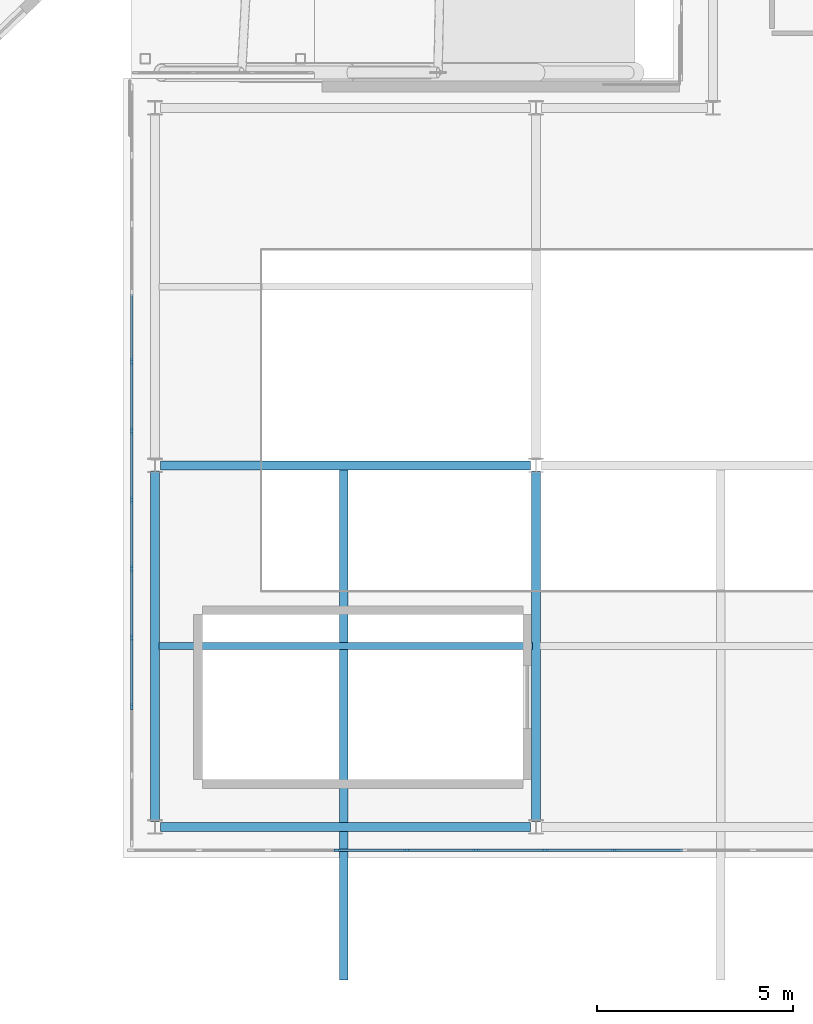
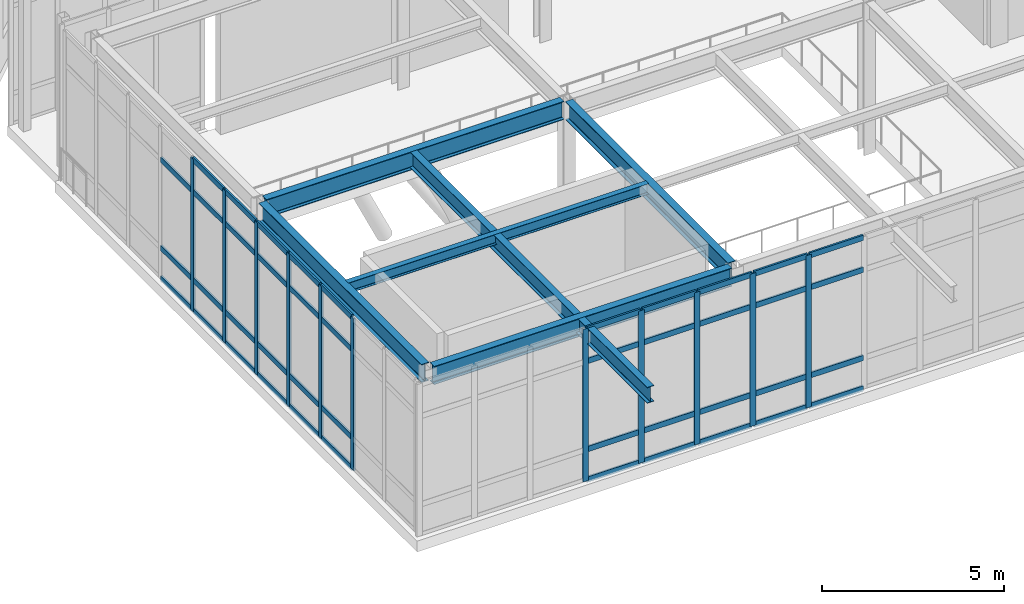
# One storey, part 34 of 159: 54 members, 6 beams, 2 elements without a shape of their own.
"""IFC4 building model written with IfcOpenShell, lengths in metres."""

from ifc_helpers import new_model, si_unit, derived_unit, direction, frame, origin, origin_2d, place, context, subcontext, project, spatial, rectangle, i_section, extrude, material, layer, layer_set, material_profile, profile_set, type_object, element, aggregate, save


model = new_model("IFC4")

# Units and contexts
model_context = context("Model", 3, precision=1e-05, world=origin(), true_north=direction((0.0, 1.0)))
body_context = subcontext(model_context, "Body", "Model", "MODEL_VIEW")
ifc_project = project(units=[si_unit("LENGTHUNIT", "METRE"), si_unit("AREAUNIT", "SQUARE_METRE"), si_unit("VOLUMEUNIT", "CUBIC_METRE"), si_unit("PLANEANGLEUNIT", "RADIAN"), si_unit("MASSUNIT", "GRAM", prefix="KILO"), derived_unit("THERMALTRANSMITTANCEUNIT", [(si_unit("MASSUNIT", "GRAM", prefix="KILO"), 1), (si_unit("TIMEUNIT", "SECOND"), -3), (si_unit("THERMODYNAMICTEMPERATUREUNIT", "KELVIN"), -1)])], contexts=[model_context])

# Site, building, storey
site_placement = place(None, origin())
site = spatial("IfcSite", under=ifc_project, at=site_placement, CompositionType="ELEMENT")
building_placement = place(site_placement, origin())
building = spatial("IfcBuilding", under=site, at=building_placement, Name="Valcora Ridge Arena", CompositionType="ELEMENT")
storey_placement = place(building_placement, frame((0.0, 0.0, 6.0)))
storey = spatial("IfcBuildingStorey", under=building, at=storey_placement, Name="L01", CompositionType="ELEMENT", Elevation=6.0)

# Beams
ifc_material_1 = material(Name="Steel ASTM A572 Grade 50", Category="steel")
ifc_material_profile_1 = material_profile(ifc_material_1, i_section(OverallWidth=0.208984375, OverallDepth=0.532958984375, WebThickness=0.01025390625, FlangeThickness=0.015625, FilletRadius=0.01611328125, at=origin_2d()), Name="W21X62")
ifc_profile_set_1 = profile_set([ifc_material_profile_1], Name="Steel ASTM A572 Grade 50")
beam_type_1 = type_object("IfcBeamType", Name="TY-BEAM-CAN-W21X62", PredefinedType="BEAM", material=ifc_profile_set_1)
beam_1_placement = place(storey_placement, frame((103.60009765625, -3.10009765625, 4.83349609375), z_axis=(0.0, 1.0, 0.0), x_axis=(-1.0, 0.0, 0.0)))
element("IfcBeam", 1, at=beam_1_placement, inside=storey, type_object=beam_type_1, Name="CAN-W21X62 BEM-CAN-W21X62-0001", PredefinedType="BEAM", context=body_context, shape_type="SweptSolid", body=[
    extrude(i_section(OverallWidth=0.208984375, OverallDepth=0.532958984375, WebThickness=0.01025390625, FlangeThickness=0.015625, FilletRadius=0.01611328125, at=origin_2d()), origin(), (0.0, 0.0, 1.0), 13.02001953125),
])
ifc_material_profile_2 = material_profile(ifc_material_1, i_section(OverallWidth=0.22900390625, OverallDepth=0.612060546875, WebThickness=0.011962890625, FlangeThickness=0.01953125, FilletRadius=0.01806640625, at=origin_2d()), Name="W24X84")
ifc_profile_set_2 = profile_set([ifc_material_profile_2], Name="Steel ASTM A572 Grade 50")
beam_type_2 = type_object("IfcBeamType", Name="TY-BEAM-G-W24X84-X", PredefinedType="BEAM", material=ifc_profile_set_2)
beam_2_placement = place(storey_placement, frame((98.93994140625, 10.0, 4.7939453125), z_axis=(1.0, 0.0, 0.0), x_axis=(0.0, 1.0, 0.0)))
element("IfcBeam", 2, at=beam_2_placement, inside=storey, type_object=beam_type_2, Name="G-W24X84-X BEM-G-W24X84-X-0004", PredefinedType="BEAM", context=body_context, shape_type="SweptSolid", body=[
    extrude(i_section(OverallWidth=0.22900390625, OverallDepth=0.612060546875, WebThickness=0.011962890625, FlangeThickness=0.01953125, FilletRadius=0.01806640625, at=origin_2d()), origin(), (0.0, 0.0, 1.0), 9.420166015625),
])
ifc_material_profile_3 = material_profile(ifc_material_1, i_section(OverallWidth=0.22900390625, OverallDepth=0.612060546875, WebThickness=0.011962890625, FlangeThickness=0.01953125, FilletRadius=0.01806640625, at=origin_2d()), Name="W24X84")
ifc_profile_set_3 = profile_set([ifc_material_profile_3], Name="Steel ASTM A572 Grade 50")
beam_type_3 = type_object("IfcBeamType", Name="TY-BEAM-G-W24X84-Y", PredefinedType="BEAM", material=ifc_profile_set_3)
for number, where, z_axis, x_axis, name in (
    (3, (98.800048828125, 0.93994140625, 4.7939453125), (0.0, 1.0, 0.0), (-1.0, 0.0, 0.0), "G-W24X84-Y BEM-G-W24X84-Y-0009"),
    (4, (108.5, 0.93994140625, 4.7939453125), (0.0, 1.0, 0.0), (-1.0, 0.0, 0.0), "G-W24X84-Y BEM-G-W24X84-Y-0011"),
):
    element("IfcBeam", number, at=place(storey_placement, frame(where, z_axis=z_axis, x_axis=x_axis)), inside=storey, type_object=beam_type_3, Name=name, PredefinedType="BEAM", context=body_context, shape_type="SweptSolid", body=[
        extrude(i_section(OverallWidth=0.22900390625, OverallDepth=0.612060546875, WebThickness=0.011962890625, FlangeThickness=0.01953125, FilletRadius=0.01806640625, at=origin_2d()), origin(), (0.0, 0.0, 1.0), 8.920166015625),
    ])
ifc_material_profile_4 = material_profile(ifc_material_1, i_section(OverallWidth=0.1708984375, OverallDepth=0.35107421875, WebThickness=0.0068359375, FlangeThickness=0.009765625, FilletRadius=0.012939453125, at=origin_2d()), Name="W14X30")
ifc_profile_set_4 = profile_set([ifc_material_profile_4], Name="Steel ASTM A572 Grade 50")
beam_type_4 = type_object("IfcBeamType", Name="TY-BEAM-J-W14X30", PredefinedType="JOIST", material=ifc_profile_set_4)
beam_3_placement = place(storey_placement, frame((98.89990234375, 5.39990234375, 4.924560546875), z_axis=(1.0, 0.0, 0.0), x_axis=(0.0, 1.0, 0.0)))
element("IfcBeam", 5, at=beam_3_placement, inside=storey, type_object=beam_type_4, Name="J-W14X30 BEM-J-W14X30-0001", PredefinedType="JOIST", context=body_context, shape_type="SweptSolid", body=[
    extrude(i_section(OverallWidth=0.1708984375, OverallDepth=0.35107421875, WebThickness=0.0068359375, FlangeThickness=0.009765625, FilletRadius=0.012939453125, at=origin_2d()), origin(), (0.0, 0.0, 1.0), 9.5),
])
ifc_material_profile_5 = material_profile(ifc_material_1, i_section(OverallWidth=0.22900390625, OverallDepth=0.612060546875, WebThickness=0.011962890625, FlangeThickness=0.01953125, FilletRadius=0.01806640625, at=origin_2d()), Name="W24X84")
ifc_profile_set_5 = profile_set([ifc_material_profile_5], Name="Steel ASTM A572 Grade 50")
beam_type_5 = type_object("IfcBeamType", Name="TY-BEAM-SP-W24X84", PredefinedType="SPANDREL", material=ifc_profile_set_5)
beam_4_placement = place(storey_placement, frame((98.93994140625, 0.800048828125, 4.7939453125), z_axis=(1.0, 0.0, 0.0), x_axis=(0.0, 1.0, 0.0)))
element("IfcBeam", 6, at=beam_4_placement, inside=storey, type_object=beam_type_5, Name="SP-W24X84 BEM-SP-W24X84-0004", PredefinedType="SPANDREL", context=body_context, shape_type="SweptSolid", body=[
    extrude(i_section(OverallWidth=0.22900390625, OverallDepth=0.612060546875, WebThickness=0.011962890625, FlangeThickness=0.01953125, FilletRadius=0.01806640625, at=origin_2d()), origin(), (0.0, 0.0, 1.0), 9.420166015625),
])

# Curtain wall, members
ifc_material_2 = material(Name="Anodised dark bronze architectural aluminium 6063-T6", Category="aluminium")
ifc_layer_1 = layer(ifc_material_2, 0.179931640625, Name="Anodised dark bronze architectural aluminium 6063-T6")
ifc_layer_set_1 = layer_set([ifc_layer_1], Name="Anodised dark bronze architectural aluminium 6063-T6")
curtain_wall_type_1 = type_object("IfcCurtainWallType", Name="TY-CURTAINWALL-CW-V3-LANCET-335X51", PredefinedType="NOTDEFINED", material=ifc_layer_set_1)
curtain_wall_1_placement = place(storey_placement, origin())
curtain_wall_1 = element("IfcCurtainWall", 7, at=curtain_wall_1_placement, inside=storey, type_object=curtain_wall_type_1, Name="CW-V3-LANCET-335X51 CW-0011", PredefinedType="NOTDEFINED")
ifc_material_profile_6 = material_profile(ifc_material_2, rectangle(XDim=0.06005859375, YDim=0.179931640625, at=origin_2d()), Name="ALU MULLION 60x180")
ifc_profile_set_6 = profile_set([ifc_material_profile_6], Name="Anodised dark bronze architectural aluminium 6063-T6")
member_type_1 = type_object("IfcMemberType", Name="TY-MEM-CWM-60x180", PredefinedType="MULLION", material=ifc_profile_set_6)
member_1_placement = place(storey_placement, frame((103.439453125, 0.199951171875, 0.0), z_axis=(0.0, 0.0, 1.0), x_axis=(0.0, 1.0, 0.0)))
member_1 = element("IfcMember", 8, at=member_1_placement, type_object=member_type_1, Name="CW-0011/CWM-60x180/M03", PredefinedType="MULLION", context=body_context, shape_type="SweptSolid", body=[
    extrude(rectangle(XDim=0.06005859375, YDim=0.179931640625, at=origin_2d()), origin(), (0.0, 0.0, 1.0), 5.10009765625),
])
member_2_placement = place(storey_placement, frame((105.20263671875, 0.199951171875, 0.0), z_axis=(0.0, 0.0, 1.0), x_axis=(0.0, 1.0, 0.0)))
member_2 = element("IfcMember", 9, at=member_2_placement, type_object=member_type_1, Name="CW-0011/CWM-60x180/M04", PredefinedType="MULLION", context=body_context, shape_type="SweptSolid", body=[
    extrude(rectangle(XDim=0.06005859375, YDim=0.179931640625, at=origin_2d()), origin(), (0.0, 0.0, 1.0), 5.10009765625),
])
member_3_placement = place(storey_placement, frame((106.9658203125, 0.199951171875, 0.0), z_axis=(0.0, 0.0, 1.0), x_axis=(0.0, 1.0, 0.0)))
member_3 = element("IfcMember", 10, at=member_3_placement, type_object=member_type_1, Name="CW-0011/CWM-60x180/M05", PredefinedType="MULLION", context=body_context, shape_type="SweptSolid", body=[
    extrude(rectangle(XDim=0.06005859375, YDim=0.179931640625, at=origin_2d()), origin(), (0.0, 0.0, 1.0), 5.10009765625),
])
member_4_placement = place(storey_placement, frame((108.72900390625, 0.199951171875, 0.0), z_axis=(0.0, 0.0, 1.0), x_axis=(0.0, 1.0, 0.0)))
member_4 = element("IfcMember", 11, at=member_4_placement, type_object=member_type_1, Name="CW-0011/CWM-60x180/M06", PredefinedType="MULLION", context=body_context, shape_type="SweptSolid", body=[
    extrude(rectangle(XDim=0.06005859375, YDim=0.179931640625, at=origin_2d()), origin(), (0.0, 0.0, 1.0), 5.10009765625),
])
member_5_placement = place(storey_placement, frame((110.4921875, 0.199951171875, 0.0), z_axis=(0.0, 0.0, 1.0), x_axis=(0.0, 1.0, 0.0)))
member_5 = element("IfcMember", 12, at=member_5_placement, type_object=member_type_1, Name="CW-0011/CWM-60x180/M07", PredefinedType="MULLION", context=body_context, shape_type="SweptSolid", body=[
    extrude(rectangle(XDim=0.06005859375, YDim=0.179931640625, at=origin_2d()), origin(), (0.0, 0.0, 1.0), 5.10009765625),
])

ifc_layer_2 = layer(ifc_material_2, 0.179931640625, Name="Anodised dark bronze architectural aluminium 6063-T6")
ifc_layer_set_2 = layer_set([ifc_layer_2], Name="Anodised dark bronze architectural aluminium 6063-T6")
curtain_wall_type_2 = type_object("IfcCurtainWallType", Name="TY-CURTAINWALL-CW-V3-LANCET-193X51", PredefinedType="NOTDEFINED", material=ifc_layer_set_2)
curtain_wall_2_placement = place(storey_placement, origin())
curtain_wall_2 = element("IfcCurtainWall", 13, at=curtain_wall_2_placement, inside=storey, type_object=curtain_wall_type_2, Name="CW-V3-LANCET-193X51 CW-0020", PredefinedType="NOTDEFINED")
member_6_placement = place(storey_placement, frame((98.199951171875, 3.859130859375, 0.0), z_axis=(0.0, 0.0, 1.0), x_axis=(-1.0, 0.0, 0.0)))
member_6 = element("IfcMember", 14, at=member_6_placement, type_object=member_type_1, Name="CW-0020/CWM-60x180/M02", PredefinedType="MULLION", context=body_context, shape_type="SweptSolid", body=[
    extrude(rectangle(XDim=0.06005859375, YDim=0.179931640625, at=origin_2d()), origin(), (0.0, 0.0, 1.0), 5.10009765625),
])
member_7_placement = place(storey_placement, frame((98.199951171875, 5.613525390625, 0.0), z_axis=(0.0, 0.0, 1.0), x_axis=(-1.0, 0.0, 0.0)))
member_7 = element("IfcMember", 15, at=member_7_placement, type_object=member_type_1, Name="CW-0020/CWM-60x180/M03", PredefinedType="MULLION", context=body_context, shape_type="SweptSolid", body=[
    extrude(rectangle(XDim=0.06005859375, YDim=0.179931640625, at=origin_2d()), origin(), (0.0, 0.0, 1.0), 5.10009765625),
])
member_8_placement = place(storey_placement, frame((98.199951171875, 7.3681640625, 0.0), z_axis=(0.0, 0.0, 1.0), x_axis=(-1.0, 0.0, 0.0)))
member_8 = element("IfcMember", 16, at=member_8_placement, type_object=member_type_1, Name="CW-0020/CWM-60x180/M04", PredefinedType="MULLION", context=body_context, shape_type="SweptSolid", body=[
    extrude(rectangle(XDim=0.06005859375, YDim=0.179931640625, at=origin_2d()), origin(), (0.0, 0.0, 1.0), 5.10009765625),
])
member_9_placement = place(storey_placement, frame((98.199951171875, 9.122802734375, 0.0), z_axis=(0.0, 0.0, 1.0), x_axis=(-1.0, 0.0, 0.0)))
member_9 = element("IfcMember", 17, at=member_9_placement, type_object=member_type_1, Name="CW-0020/CWM-60x180/M05", PredefinedType="MULLION", context=body_context, shape_type="SweptSolid", body=[
    extrude(rectangle(XDim=0.06005859375, YDim=0.179931640625, at=origin_2d()), origin(), (0.0, 0.0, 1.0), 5.10009765625),
])
member_10_placement = place(storey_placement, frame((98.199951171875, 10.877197265625, 0.0), z_axis=(0.0, 0.0, 1.0), x_axis=(-1.0, 0.0, 0.0)))
member_10 = element("IfcMember", 18, at=member_10_placement, type_object=member_type_1, Name="CW-0020/CWM-60x180/M06", PredefinedType="MULLION", context=body_context, shape_type="SweptSolid", body=[
    extrude(rectangle(XDim=0.06005859375, YDim=0.179931640625, at=origin_2d()), origin(), (0.0, 0.0, 1.0), 5.10009765625),
])
member_11_placement = place(storey_placement, frame((98.199951171875, 12.6318359375, 0.0), z_axis=(0.0, 0.0, 1.0), x_axis=(-1.0, 0.0, 0.0)))
member_11 = element("IfcMember", 19, at=member_11_placement, type_object=member_type_1, Name="CW-0020/CWM-60x180/M07", PredefinedType="MULLION", context=body_context, shape_type="SweptSolid", body=[
    extrude(rectangle(XDim=0.06005859375, YDim=0.179931640625, at=origin_2d()), origin(), (0.0, 0.0, 1.0), 5.10009765625),
])

# Member
ifc_material_profile_7 = material_profile(ifc_material_2, rectangle(XDim=0.06005859375, YDim=0.179931640625, at=origin_2d()), Name="ALU TRANSOM 60x180")
ifc_profile_set_7 = profile_set([ifc_material_profile_7], Name="Anodised dark bronze architectural aluminium 6063-T6")
member_type_2 = type_object("IfcMemberType", Name="TY-MEM-CWT-60x180", PredefinedType="USERDEFINED", material=ifc_profile_set_7)
member_12_placement = place(storey_placement, frame((103.468994140625, 0.199951171875, 0.030029296875), z_axis=(1.0, 0.0, 0.0), x_axis=(0.0, 1.0, 0.0)))
member_12 = element("IfcMember", 20, at=member_12_placement, type_object=member_type_2, Name="CW-0011/CWT-60x180/T03-00", ObjectType="TRANSOM", PredefinedType="USERDEFINED", context=body_context, shape_type="SweptSolid", body=[
    extrude(rectangle(XDim=0.06005859375, YDim=0.179931640625, at=origin_2d()), origin(), (0.0, 0.0, 1.0), 1.7041015625),
])

member_13_placement = place(storey_placement, frame((103.468994140625, 0.199951171875, 1.050048828125), z_axis=(1.0, 0.0, 0.0), x_axis=(0.0, 1.0, 0.0)))
member_13 = element("IfcMember", 21, at=member_13_placement, type_object=member_type_2, Name="CW-0011/CWT-60x180/T03-01", ObjectType="TRANSOM", PredefinedType="USERDEFINED", context=body_context, shape_type="SweptSolid", body=[
    extrude(rectangle(XDim=0.06005859375, YDim=0.179931640625, at=origin_2d()), origin(), (0.0, 0.0, 1.0), 1.7041015625),
])

member_14_placement = place(storey_placement, frame((103.468994140625, 0.199951171875, 4.0), z_axis=(1.0, 0.0, 0.0), x_axis=(0.0, 1.0, 0.0)))
member_14 = element("IfcMember", 22, at=member_14_placement, type_object=member_type_2, Name="CW-0011/CWT-60x180/T03-02", ObjectType="TRANSOM", PredefinedType="USERDEFINED", context=body_context, shape_type="SweptSolid", body=[
    extrude(rectangle(XDim=0.06005859375, YDim=0.179931640625, at=origin_2d()), origin(), (0.0, 0.0, 1.0), 1.7041015625),
])

member_15_placement = place(storey_placement, frame((103.468994140625, 0.199951171875, 5.070068359375), z_axis=(1.0, 0.0, 0.0), x_axis=(0.0, 1.0, 0.0)))
member_15 = element("IfcMember", 23, at=member_15_placement, type_object=member_type_2, Name="CW-0011/CWT-60x180/T03-03", ObjectType="TRANSOM", PredefinedType="USERDEFINED", context=body_context, shape_type="SweptSolid", body=[
    extrude(rectangle(XDim=0.06005859375, YDim=0.179931640625, at=origin_2d()), origin(), (0.0, 0.0, 1.0), 1.7041015625),
])

member_16_placement = place(storey_placement, frame((105.23291015625, 0.199951171875, 0.030029296875), z_axis=(1.0, 0.0, 0.0), x_axis=(0.0, 1.0, 0.0)))
member_16 = element("IfcMember", 24, at=member_16_placement, type_object=member_type_2, Name="CW-0011/CWT-60x180/T04-00", ObjectType="TRANSOM", PredefinedType="USERDEFINED", context=body_context, shape_type="SweptSolid", body=[
    extrude(rectangle(XDim=0.06005859375, YDim=0.179931640625, at=origin_2d()), origin(), (0.0, 0.0, 1.0), 1.703125),
])

member_17_placement = place(storey_placement, frame((105.23291015625, 0.199951171875, 1.050048828125), z_axis=(1.0, 0.0, 0.0), x_axis=(0.0, 1.0, 0.0)))
member_17 = element("IfcMember", 25, at=member_17_placement, type_object=member_type_2, Name="CW-0011/CWT-60x180/T04-01", ObjectType="TRANSOM", PredefinedType="USERDEFINED", context=body_context, shape_type="SweptSolid", body=[
    extrude(rectangle(XDim=0.06005859375, YDim=0.179931640625, at=origin_2d()), origin(), (0.0, 0.0, 1.0), 1.703125),
])

member_18_placement = place(storey_placement, frame((105.23291015625, 0.199951171875, 4.0), z_axis=(1.0, 0.0, 0.0), x_axis=(0.0, 1.0, 0.0)))
member_18 = element("IfcMember", 26, at=member_18_placement, type_object=member_type_2, Name="CW-0011/CWT-60x180/T04-02", ObjectType="TRANSOM", PredefinedType="USERDEFINED", context=body_context, shape_type="SweptSolid", body=[
    extrude(rectangle(XDim=0.06005859375, YDim=0.179931640625, at=origin_2d()), origin(), (0.0, 0.0, 1.0), 1.703125),
])

member_19_placement = place(storey_placement, frame((105.23291015625, 0.199951171875, 5.070068359375), z_axis=(1.0, 0.0, 0.0), x_axis=(0.0, 1.0, 0.0)))
member_19 = element("IfcMember", 27, at=member_19_placement, type_object=member_type_2, Name="CW-0011/CWT-60x180/T04-03", ObjectType="TRANSOM", PredefinedType="USERDEFINED", context=body_context, shape_type="SweptSolid", body=[
    extrude(rectangle(XDim=0.06005859375, YDim=0.179931640625, at=origin_2d()), origin(), (0.0, 0.0, 1.0), 1.703125),
])

member_20_placement = place(storey_placement, frame((106.99609375, 0.199951171875, 0.030029296875), z_axis=(1.0, 0.0, 0.0), x_axis=(0.0, 1.0, 0.0)))
member_20 = element("IfcMember", 28, at=member_20_placement, type_object=member_type_2, Name="CW-0011/CWT-60x180/T05-00", ObjectType="TRANSOM", PredefinedType="USERDEFINED", context=body_context, shape_type="SweptSolid", body=[
    extrude(rectangle(XDim=0.06005859375, YDim=0.179931640625, at=origin_2d()), origin(), (0.0, 0.0, 1.0), 1.702880859375),
])

member_21_placement = place(storey_placement, frame((106.99609375, 0.199951171875, 1.050048828125), z_axis=(1.0, 0.0, 0.0), x_axis=(0.0, 1.0, 0.0)))
member_21 = element("IfcMember", 29, at=member_21_placement, type_object=member_type_2, Name="CW-0011/CWT-60x180/T05-01", ObjectType="TRANSOM", PredefinedType="USERDEFINED", context=body_context, shape_type="SweptSolid", body=[
    extrude(rectangle(XDim=0.06005859375, YDim=0.179931640625, at=origin_2d()), origin(), (0.0, 0.0, 1.0), 1.702880859375),
])

member_22_placement = place(storey_placement, frame((106.99609375, 0.199951171875, 4.0), z_axis=(1.0, 0.0, 0.0), x_axis=(0.0, 1.0, 0.0)))
member_22 = element("IfcMember", 30, at=member_22_placement, type_object=member_type_2, Name="CW-0011/CWT-60x180/T05-02", ObjectType="TRANSOM", PredefinedType="USERDEFINED", context=body_context, shape_type="SweptSolid", body=[
    extrude(rectangle(XDim=0.06005859375, YDim=0.179931640625, at=origin_2d()), origin(), (0.0, 0.0, 1.0), 1.702880859375),
])

member_23_placement = place(storey_placement, frame((106.99609375, 0.199951171875, 5.070068359375), z_axis=(1.0, 0.0, 0.0), x_axis=(0.0, 1.0, 0.0)))
member_23 = element("IfcMember", 31, at=member_23_placement, type_object=member_type_2, Name="CW-0011/CWT-60x180/T05-03", ObjectType="TRANSOM", PredefinedType="USERDEFINED", context=body_context, shape_type="SweptSolid", body=[
    extrude(rectangle(XDim=0.06005859375, YDim=0.179931640625, at=origin_2d()), origin(), (0.0, 0.0, 1.0), 1.702880859375),
])

member_24_placement = place(storey_placement, frame((108.759033203125, 0.199951171875, 0.030029296875), z_axis=(1.0, 0.0, 0.0), x_axis=(0.0, 1.0, 0.0)))
member_24 = element("IfcMember", 32, at=member_24_placement, type_object=member_type_2, Name="CW-0011/CWT-60x180/T06-00", ObjectType="TRANSOM", PredefinedType="USERDEFINED", context=body_context, shape_type="SweptSolid", body=[
    extrude(rectangle(XDim=0.06005859375, YDim=0.179931640625, at=origin_2d()), origin(), (0.0, 0.0, 1.0), 1.702880859375),
])

member_25_placement = place(storey_placement, frame((108.759033203125, 0.199951171875, 1.050048828125), z_axis=(1.0, 0.0, 0.0), x_axis=(0.0, 1.0, 0.0)))
member_25 = element("IfcMember", 33, at=member_25_placement, type_object=member_type_2, Name="CW-0011/CWT-60x180/T06-01", ObjectType="TRANSOM", PredefinedType="USERDEFINED", context=body_context, shape_type="SweptSolid", body=[
    extrude(rectangle(XDim=0.06005859375, YDim=0.179931640625, at=origin_2d()), origin(), (0.0, 0.0, 1.0), 1.702880859375),
])

member_26_placement = place(storey_placement, frame((108.759033203125, 0.199951171875, 4.0), z_axis=(1.0, 0.0, 0.0), x_axis=(0.0, 1.0, 0.0)))
member_26 = element("IfcMember", 34, at=member_26_placement, type_object=member_type_2, Name="CW-0011/CWT-60x180/T06-02", ObjectType="TRANSOM", PredefinedType="USERDEFINED", context=body_context, shape_type="SweptSolid", body=[
    extrude(rectangle(XDim=0.06005859375, YDim=0.179931640625, at=origin_2d()), origin(), (0.0, 0.0, 1.0), 1.702880859375),
])

member_27_placement = place(storey_placement, frame((108.759033203125, 0.199951171875, 5.070068359375), z_axis=(1.0, 0.0, 0.0), x_axis=(0.0, 1.0, 0.0)))
member_27 = element("IfcMember", 35, at=member_27_placement, type_object=member_type_2, Name="CW-0011/CWT-60x180/T06-03", ObjectType="TRANSOM", PredefinedType="USERDEFINED", context=body_context, shape_type="SweptSolid", body=[
    extrude(rectangle(XDim=0.06005859375, YDim=0.179931640625, at=origin_2d()), origin(), (0.0, 0.0, 1.0), 1.702880859375),
])

member_28_placement = place(storey_placement, frame((110.52197265625, 0.199951171875, 0.030029296875), z_axis=(1.0, 0.0, 0.0), x_axis=(0.0, 1.0, 0.0)))
member_28 = element("IfcMember", 36, at=member_28_placement, type_object=member_type_2, Name="CW-0011/CWT-60x180/T07-00", ObjectType="TRANSOM", PredefinedType="USERDEFINED", context=body_context, shape_type="SweptSolid", body=[
    extrude(rectangle(XDim=0.06005859375, YDim=0.179931640625, at=origin_2d()), origin(), (0.0, 0.0, 1.0), 1.703125),
])

member_29_placement = place(storey_placement, frame((110.52197265625, 0.199951171875, 1.050048828125), z_axis=(1.0, 0.0, 0.0), x_axis=(0.0, 1.0, 0.0)))
member_29 = element("IfcMember", 37, at=member_29_placement, type_object=member_type_2, Name="CW-0011/CWT-60x180/T07-01", ObjectType="TRANSOM", PredefinedType="USERDEFINED", context=body_context, shape_type="SweptSolid", body=[
    extrude(rectangle(XDim=0.06005859375, YDim=0.179931640625, at=origin_2d()), origin(), (0.0, 0.0, 1.0), 1.703125),
])

member_30_placement = place(storey_placement, frame((110.52197265625, 0.199951171875, 4.0), z_axis=(1.0, 0.0, 0.0), x_axis=(0.0, 1.0, 0.0)))
member_30 = element("IfcMember", 38, at=member_30_placement, type_object=member_type_2, Name="CW-0011/CWT-60x180/T07-02", ObjectType="TRANSOM", PredefinedType="USERDEFINED", context=body_context, shape_type="SweptSolid", body=[
    extrude(rectangle(XDim=0.06005859375, YDim=0.179931640625, at=origin_2d()), origin(), (0.0, 0.0, 1.0), 1.703125),
])

member_31_placement = place(storey_placement, frame((110.52197265625, 0.199951171875, 5.070068359375), z_axis=(1.0, 0.0, 0.0), x_axis=(0.0, 1.0, 0.0)))
member_31 = element("IfcMember", 39, at=member_31_placement, type_object=member_type_2, Name="CW-0011/CWT-60x180/T07-03", ObjectType="TRANSOM", PredefinedType="USERDEFINED", context=body_context, shape_type="SweptSolid", body=[
    extrude(rectangle(XDim=0.06005859375, YDim=0.179931640625, at=origin_2d()), origin(), (0.0, 0.0, 1.0), 1.703125),
])

aggregate(curtain_wall_1, [member_1, member_2, member_3, member_4, member_5, member_12, member_13, member_14, member_15, member_16, member_17, member_18, member_19, member_20, member_21, member_22, member_23, member_24, member_25, member_26, member_27, member_28, member_29, member_30, member_31])

member_32_placement = place(storey_placement, frame((98.199951171875, 3.888916015625, 0.030029296875), z_axis=(0.0, 1.0, 0.0), x_axis=(-1.0, 0.0, 0.0)))
member_32 = element("IfcMember", 40, at=member_32_placement, type_object=member_type_2, Name="CW-0020/CWT-60x180/T02-00", ObjectType="TRANSOM", PredefinedType="USERDEFINED", context=body_context, shape_type="SweptSolid", body=[
    extrude(rectangle(XDim=0.06005859375, YDim=0.179931640625, at=origin_2d()), origin(), (0.0, 0.0, 1.0), 1.695068359375),
])

member_33_placement = place(storey_placement, frame((98.199951171875, 3.888916015625, 1.050048828125), z_axis=(0.0, 1.0, 0.0), x_axis=(-1.0, 0.0, 0.0)))
member_33 = element("IfcMember", 41, at=member_33_placement, type_object=member_type_2, Name="CW-0020/CWT-60x180/T02-01", ObjectType="TRANSOM", PredefinedType="USERDEFINED", context=body_context, shape_type="SweptSolid", body=[
    extrude(rectangle(XDim=0.06005859375, YDim=0.179931640625, at=origin_2d()), origin(), (0.0, 0.0, 1.0), 1.695068359375),
])

member_34_placement = place(storey_placement, frame((98.199951171875, 3.888916015625, 4.0), z_axis=(0.0, 1.0, 0.0), x_axis=(-1.0, 0.0, 0.0)))
member_34 = element("IfcMember", 42, at=member_34_placement, type_object=member_type_2, Name="CW-0020/CWT-60x180/T02-02", ObjectType="TRANSOM", PredefinedType="USERDEFINED", context=body_context, shape_type="SweptSolid", body=[
    extrude(rectangle(XDim=0.06005859375, YDim=0.179931640625, at=origin_2d()), origin(), (0.0, 0.0, 1.0), 1.695068359375),
])

member_35_placement = place(storey_placement, frame((98.199951171875, 3.888916015625, 5.070068359375), z_axis=(0.0, 1.0, 0.0), x_axis=(-1.0, 0.0, 0.0)))
member_35 = element("IfcMember", 43, at=member_35_placement, type_object=member_type_2, Name="CW-0020/CWT-60x180/T02-03", ObjectType="TRANSOM", PredefinedType="USERDEFINED", context=body_context, shape_type="SweptSolid", body=[
    extrude(rectangle(XDim=0.06005859375, YDim=0.179931640625, at=origin_2d()), origin(), (0.0, 0.0, 1.0), 1.695068359375),
])

member_36_placement = place(storey_placement, frame((98.199951171875, 5.64404296875, 0.030029296875), z_axis=(0.0, 1.0, 0.0), x_axis=(-1.0, 0.0, 0.0)))
member_36 = element("IfcMember", 44, at=member_36_placement, type_object=member_type_2, Name="CW-0020/CWT-60x180/T03-00", ObjectType="TRANSOM", PredefinedType="USERDEFINED", context=body_context, shape_type="SweptSolid", body=[
    extrude(rectangle(XDim=0.06005859375, YDim=0.179931640625, at=origin_2d()), origin(), (0.0, 0.0, 1.0), 1.69384765625),
])

member_37_placement = place(storey_placement, frame((98.199951171875, 5.64404296875, 1.050048828125), z_axis=(0.0, 1.0, 0.0), x_axis=(-1.0, 0.0, 0.0)))
member_37 = element("IfcMember", 45, at=member_37_placement, type_object=member_type_2, Name="CW-0020/CWT-60x180/T03-01", ObjectType="TRANSOM", PredefinedType="USERDEFINED", context=body_context, shape_type="SweptSolid", body=[
    extrude(rectangle(XDim=0.06005859375, YDim=0.179931640625, at=origin_2d()), origin(), (0.0, 0.0, 1.0), 1.69384765625),
])

member_38_placement = place(storey_placement, frame((98.199951171875, 5.64404296875, 4.0), z_axis=(0.0, 1.0, 0.0), x_axis=(-1.0, 0.0, 0.0)))
member_38 = element("IfcMember", 46, at=member_38_placement, type_object=member_type_2, Name="CW-0020/CWT-60x180/T03-02", ObjectType="TRANSOM", PredefinedType="USERDEFINED", context=body_context, shape_type="SweptSolid", body=[
    extrude(rectangle(XDim=0.06005859375, YDim=0.179931640625, at=origin_2d()), origin(), (0.0, 0.0, 1.0), 1.69384765625),
])

member_39_placement = place(storey_placement, frame((98.199951171875, 5.64404296875, 5.070068359375), z_axis=(0.0, 1.0, 0.0), x_axis=(-1.0, 0.0, 0.0)))
member_39 = element("IfcMember", 47, at=member_39_placement, type_object=member_type_2, Name="CW-0020/CWT-60x180/T03-03", ObjectType="TRANSOM", PredefinedType="USERDEFINED", context=body_context, shape_type="SweptSolid", body=[
    extrude(rectangle(XDim=0.06005859375, YDim=0.179931640625, at=origin_2d()), origin(), (0.0, 0.0, 1.0), 1.69384765625),
])

member_40_placement = place(storey_placement, frame((98.199951171875, 7.39794921875, 0.030029296875), z_axis=(0.0, 1.0, 0.0), x_axis=(-1.0, 0.0, 0.0)))
member_40 = element("IfcMember", 48, at=member_40_placement, type_object=member_type_2, Name="CW-0020/CWT-60x180/T04-00", ObjectType="TRANSOM", PredefinedType="USERDEFINED", context=body_context, shape_type="SweptSolid", body=[
    extrude(rectangle(XDim=0.06005859375, YDim=0.179931640625, at=origin_2d()), origin(), (0.0, 0.0, 1.0), 1.695068359375),
])

member_41_placement = place(storey_placement, frame((98.199951171875, 7.39794921875, 1.050048828125), z_axis=(0.0, 1.0, 0.0), x_axis=(-1.0, 0.0, 0.0)))
member_41 = element("IfcMember", 49, at=member_41_placement, type_object=member_type_2, Name="CW-0020/CWT-60x180/T04-01", ObjectType="TRANSOM", PredefinedType="USERDEFINED", context=body_context, shape_type="SweptSolid", body=[
    extrude(rectangle(XDim=0.06005859375, YDim=0.179931640625, at=origin_2d()), origin(), (0.0, 0.0, 1.0), 1.695068359375),
])

member_42_placement = place(storey_placement, frame((98.199951171875, 7.39794921875, 4.0), z_axis=(0.0, 1.0, 0.0), x_axis=(-1.0, 0.0, 0.0)))
member_42 = element("IfcMember", 50, at=member_42_placement, type_object=member_type_2, Name="CW-0020/CWT-60x180/T04-02", ObjectType="TRANSOM", PredefinedType="USERDEFINED", context=body_context, shape_type="SweptSolid", body=[
    extrude(rectangle(XDim=0.06005859375, YDim=0.179931640625, at=origin_2d()), origin(), (0.0, 0.0, 1.0), 1.695068359375),
])

member_43_placement = place(storey_placement, frame((98.199951171875, 7.39794921875, 5.070068359375), z_axis=(0.0, 1.0, 0.0), x_axis=(-1.0, 0.0, 0.0)))
member_43 = element("IfcMember", 51, at=member_43_placement, type_object=member_type_2, Name="CW-0020/CWT-60x180/T04-03", ObjectType="TRANSOM", PredefinedType="USERDEFINED", context=body_context, shape_type="SweptSolid", body=[
    extrude(rectangle(XDim=0.06005859375, YDim=0.179931640625, at=origin_2d()), origin(), (0.0, 0.0, 1.0), 1.695068359375),
])

member_44_placement = place(storey_placement, frame((98.199951171875, 9.153076171875, 0.030029296875), z_axis=(0.0, 1.0, 0.0), x_axis=(-1.0, 0.0, 0.0)))
member_44 = element("IfcMember", 52, at=member_44_placement, type_object=member_type_2, Name="CW-0020/CWT-60x180/T05-00", ObjectType="TRANSOM", PredefinedType="USERDEFINED", context=body_context, shape_type="SweptSolid", body=[
    extrude(rectangle(XDim=0.06005859375, YDim=0.179931640625, at=origin_2d()), origin(), (0.0, 0.0, 1.0), 1.69384765625),
])

member_45_placement = place(storey_placement, frame((98.199951171875, 9.153076171875, 1.050048828125), z_axis=(0.0, 1.0, 0.0), x_axis=(-1.0, 0.0, 0.0)))
member_45 = element("IfcMember", 53, at=member_45_placement, type_object=member_type_2, Name="CW-0020/CWT-60x180/T05-01", ObjectType="TRANSOM", PredefinedType="USERDEFINED", context=body_context, shape_type="SweptSolid", body=[
    extrude(rectangle(XDim=0.06005859375, YDim=0.179931640625, at=origin_2d()), origin(), (0.0, 0.0, 1.0), 1.69384765625),
])

member_46_placement = place(storey_placement, frame((98.199951171875, 9.153076171875, 4.0), z_axis=(0.0, 1.0, 0.0), x_axis=(-1.0, 0.0, 0.0)))
member_46 = element("IfcMember", 54, at=member_46_placement, type_object=member_type_2, Name="CW-0020/CWT-60x180/T05-02", ObjectType="TRANSOM", PredefinedType="USERDEFINED", context=body_context, shape_type="SweptSolid", body=[
    extrude(rectangle(XDim=0.06005859375, YDim=0.179931640625, at=origin_2d()), origin(), (0.0, 0.0, 1.0), 1.69384765625),
])

member_47_placement = place(storey_placement, frame((98.199951171875, 9.153076171875, 5.070068359375), z_axis=(0.0, 1.0, 0.0), x_axis=(-1.0, 0.0, 0.0)))
member_47 = element("IfcMember", 55, at=member_47_placement, type_object=member_type_2, Name="CW-0020/CWT-60x180/T05-03", ObjectType="TRANSOM", PredefinedType="USERDEFINED", context=body_context, shape_type="SweptSolid", body=[
    extrude(rectangle(XDim=0.06005859375, YDim=0.179931640625, at=origin_2d()), origin(), (0.0, 0.0, 1.0), 1.69384765625),
])

member_48_placement = place(storey_placement, frame((98.199951171875, 10.906982421875, 0.030029296875), z_axis=(0.0, 1.0, 0.0), x_axis=(-1.0, 0.0, 0.0)))
member_48 = element("IfcMember", 56, at=member_48_placement, type_object=member_type_2, Name="CW-0020/CWT-60x180/T06-00", ObjectType="TRANSOM", PredefinedType="USERDEFINED", context=body_context, shape_type="SweptSolid", body=[
    extrude(rectangle(XDim=0.06005859375, YDim=0.179931640625, at=origin_2d()), origin(), (0.0, 0.0, 1.0), 1.695068359375),
])

member_49_placement = place(storey_placement, frame((98.199951171875, 10.906982421875, 1.050048828125), z_axis=(0.0, 1.0, 0.0), x_axis=(-1.0, 0.0, 0.0)))
member_49 = element("IfcMember", 57, at=member_49_placement, type_object=member_type_2, Name="CW-0020/CWT-60x180/T06-01", ObjectType="TRANSOM", PredefinedType="USERDEFINED", context=body_context, shape_type="SweptSolid", body=[
    extrude(rectangle(XDim=0.06005859375, YDim=0.179931640625, at=origin_2d()), origin(), (0.0, 0.0, 1.0), 1.695068359375),
])

member_50_placement = place(storey_placement, frame((98.199951171875, 10.906982421875, 4.0), z_axis=(0.0, 1.0, 0.0), x_axis=(-1.0, 0.0, 0.0)))
member_50 = element("IfcMember", 58, at=member_50_placement, type_object=member_type_2, Name="CW-0020/CWT-60x180/T06-02", ObjectType="TRANSOM", PredefinedType="USERDEFINED", context=body_context, shape_type="SweptSolid", body=[
    extrude(rectangle(XDim=0.06005859375, YDim=0.179931640625, at=origin_2d()), origin(), (0.0, 0.0, 1.0), 1.695068359375),
])

member_51_placement = place(storey_placement, frame((98.199951171875, 10.906982421875, 5.070068359375), z_axis=(0.0, 1.0, 0.0), x_axis=(-1.0, 0.0, 0.0)))
member_51 = element("IfcMember", 59, at=member_51_placement, type_object=member_type_2, Name="CW-0020/CWT-60x180/T06-03", ObjectType="TRANSOM", PredefinedType="USERDEFINED", context=body_context, shape_type="SweptSolid", body=[
    extrude(rectangle(XDim=0.06005859375, YDim=0.179931640625, at=origin_2d()), origin(), (0.0, 0.0, 1.0), 1.695068359375),
])

member_52_placement = place(storey_placement, frame((98.199951171875, 12.662109375, 0.030029296875), z_axis=(0.0, 1.0, 0.0), x_axis=(-1.0, 0.0, 0.0)))
member_52 = element("IfcMember", 60, at=member_52_placement, type_object=member_type_2, Name="CW-0020/CWT-60x180/T07-00", ObjectType="TRANSOM", PredefinedType="USERDEFINED", context=body_context, shape_type="SweptSolid", body=[
    extrude(rectangle(XDim=0.06005859375, YDim=0.179931640625, at=origin_2d()), origin(), (0.0, 0.0, 1.0), 1.69384765625),
])

member_53_placement = place(storey_placement, frame((98.199951171875, 12.662109375, 1.050048828125), z_axis=(0.0, 1.0, 0.0), x_axis=(-1.0, 0.0, 0.0)))
member_53 = element("IfcMember", 61, at=member_53_placement, type_object=member_type_2, Name="CW-0020/CWT-60x180/T07-01", ObjectType="TRANSOM", PredefinedType="USERDEFINED", context=body_context, shape_type="SweptSolid", body=[
    extrude(rectangle(XDim=0.06005859375, YDim=0.179931640625, at=origin_2d()), origin(), (0.0, 0.0, 1.0), 1.69384765625),
])

member_54_placement = place(storey_placement, frame((98.199951171875, 12.662109375, 4.0), z_axis=(0.0, 1.0, 0.0), x_axis=(-1.0, 0.0, 0.0)))
member_54 = element("IfcMember", 62, at=member_54_placement, type_object=member_type_2, Name="CW-0020/CWT-60x180/T07-02", ObjectType="TRANSOM", PredefinedType="USERDEFINED", context=body_context, shape_type="SweptSolid", body=[
    extrude(rectangle(XDim=0.06005859375, YDim=0.179931640625, at=origin_2d()), origin(), (0.0, 0.0, 1.0), 1.69384765625),
])

aggregate(curtain_wall_2, [member_6, member_7, member_8, member_9, member_10, member_11, member_32, member_33, member_34, member_35, member_36, member_37, member_38, member_39, member_40, member_41, member_42, member_43, member_44, member_45, member_46, member_47, member_48, member_49, member_50, member_51, member_52, member_53, member_54])

save(model, "model.ifc")
